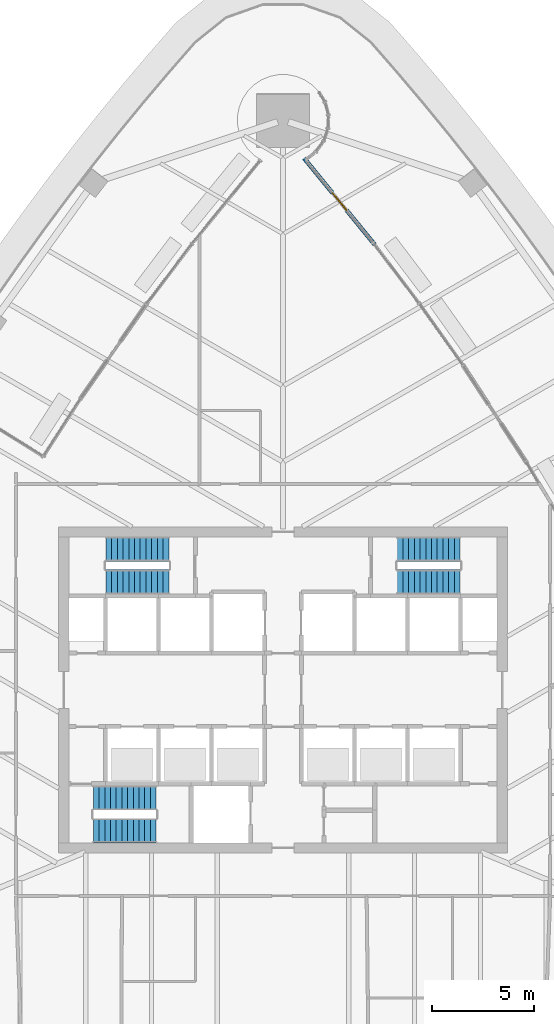
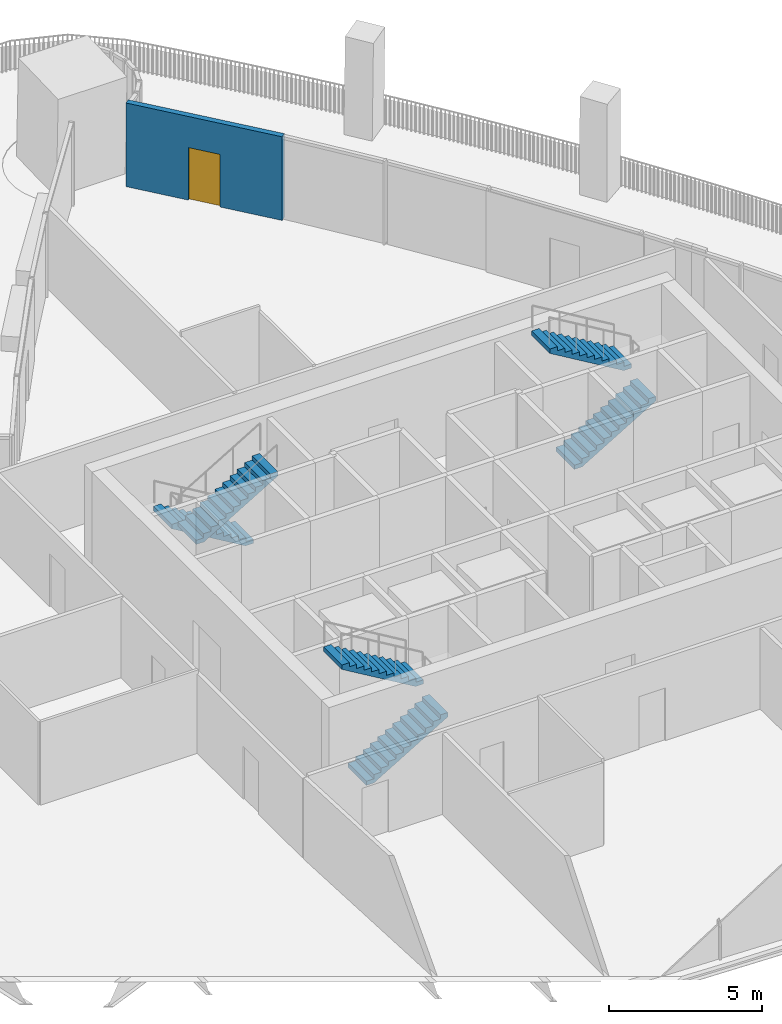
# One storey, part 16 of 21: 6 stair flights, 1 door, 1 wall, 1 opening, 3 elements without a shape of their own.
"""IFC4 building model written with IfcOpenShell, lengths in metres."""

from ifc_helpers import new_model, si_unit, direction, frame, frame_2d, origin, place, context, subcontext, project, spatial, polyline, rectangle, outline, extrude, material, layer, layer_set, type_object, element, fill, aggregate, save


model = new_model("IFC4")

# Units and contexts
model_context = context("Model", 3, precision=1e-05, world=origin(), true_north=direction((0.0, 1.0)))
body_context = subcontext(model_context, "Body", "Model", "MODEL_VIEW")
ifc_project = project(units=[si_unit("LENGTHUNIT", "METRE"), si_unit("AREAUNIT", "SQUARE_METRE"), si_unit("VOLUMEUNIT", "CUBIC_METRE"), si_unit("PLANEANGLEUNIT", "RADIAN"), si_unit("MASSUNIT", "GRAM", prefix="KILO")], contexts=[model_context])

# Site, building, storey
site_placement = place(None, origin())
site = spatial("IfcSite", under=ifc_project, at=site_placement, CompositionType="ELEMENT")
building_placement = place(site_placement, origin())
building = spatial("IfcBuilding", under=site, at=building_placement, Name="Sierra Prisma Convention Tower", CompositionType="ELEMENT")
storey_placement = place(building_placement, frame((0.0, 0.0, 157.800048828125)))
storey = spatial("IfcBuildingStorey", under=building, at=storey_placement, Name="L34", CompositionType="ELEMENT", Elevation=157.800048828125)

# Wall, opening, door
ifc_material_1 = material(Name="Precast concrete C40/50", Category="concrete")
ifc_layer = layer(ifc_material_1, 0.199951171875)
ifc_layer_set = layer_set([ifc_layer], Name="Terrace door pier")
wall_type = type_object("IfcWallType", Name="Terrace door pier", PredefinedType="SOLIDWALL", material=ifc_layer_set)
wall_placement = place(storey_placement, frame((4.498291015625, 21.833251953125, 0.0), z_axis=(0.0, 0.0, 1.0), x_axis=(-0.633206141903, 0.773983192231, 0.0)))
wall = element("IfcWall", 1, at=wall_placement, inside=storey, type_object=wall_type, Name="Terrace door bay L34.6", PredefinedType="SOLIDWALL", context=body_context, shape_type="SweptSolid", body=[
    extrude(rectangle(XDim=5.461181640625, YDim=0.199951171875, at=frame_2d((2.73046875, 0.0))), origin(), (0.0, 0.0, 1.0), 3.33984375),
])
opening_placement = place(wall_placement, frame((2.180419921875, 0.0, 0.0)))
opening = element("IfcOpeningElement", 2, at=opening_placement, cuts=wall, Name="Opening L34-D003", PredefinedType="OPENING", context=body_context, shape_type="SweptSolid", body=[
    extrude(rectangle(XDim=1.10009765625, YDim=2.10009765625, at=frame_2d((0.550048828125, 1.050048828125))), frame((0.0, 0.10009765625, 0.0), z_axis=(0.0, -1.0, 0.0), x_axis=(1.0, 0.0, 0.0)), (0.0, 0.0, 1.0), 0.199951171875),
])
ifc_material_2 = material(Name="Bronze anodised aluminium and glass", Category="aluminium")
door_type = type_object("IfcDoorType", Name="Terrace door 1100 x 2100", OperationType="SINGLE_SWING_LEFT", PredefinedType="DOOR", material=ifc_material_2)
door_placement = place(opening_placement, origin())
door = element("IfcDoor", 3, at=door_placement, inside=storey, type_object=door_type, Name="Terrace door L34.6", OperationType="SINGLE_SWING_LEFT", OverallHeight=2.10009765625, OverallWidth=1.10009765625, PredefinedType="DOOR", context=body_context, shape_type="SweptSolid", body=[
    extrude(rectangle(XDim=1.10009765625, YDim=2.10009765625, at=frame_2d((0.550048828125, 1.050048828125))), frame((0.0, 0.02490234375, 0.0), z_axis=(0.0, -1.0, 0.0), x_axis=(1.0, 0.0, 0.0)), (0.0, 0.0, 1.0), 0.050048828125),
])
fill(opening, door)

# Stair, stair flights
ifc_material_3 = material(Name="Concrete C30/37", Category="concrete")
stair_type = type_object("IfcStairType", Name="Stair dog-leg 1200 RC", PredefinedType="HALF_TURN_STAIR", material=ifc_material_3)
stair_1_placement = place(storey_placement, origin())
stair_1 = element("IfcStair", 4, at=stair_1_placement, inside=storey, type_object=stair_type, Name="L34 S1", PredefinedType="HALF_TURN_STAIR")
ifc_material_4 = material(Name="Concrete C30/37", Category="concrete")
stair_flight_type = type_object("IfcStairFlightType", Name="Stair flight RC 1200", PredefinedType="STRAIGHT", material=ifc_material_4)
stair_flight_1_placement = place(storey_placement, frame((-9.300048828125, -6.89990234375, 0.0), z_axis=(0.0, 0.0, 1.0), x_axis=(1.0, 0.0, 0.0)))
stair_flight_1 = element("IfcStairFlight", 5, at=stair_flight_1_placement, type_object=stair_flight_type, Name="S1 flight 1", NumberOfRisers=12, NumberOfTreads=11, PredefinedType="STRAIGHT", RiserHeight=0.166666667, TreadLength=0.28, context=body_context, shape_type="SweptSolid", body=[
    extrude(outline(polyline([(0.0, 0.0), (0.0, 0.166748046875), (0.280029296875, 0.166748046875), (0.280029296875, 0.333251953125), (0.56005859375, 0.333251953125), (0.56005859375, 0.5), (0.840087890625, 0.5), (0.840087890625, 0.666748046875), (1.1201171875, 0.666748046875), (1.1201171875, 0.833251953125), (1.39990234375, 0.833251953125), (1.39990234375, 1.0), (1.679931640625, 1.0), (1.679931640625, 1.166748046875), (1.9599609375, 1.166748046875), (1.9599609375, 1.333251953125), (2.239990234375, 1.333251953125), (2.239990234375, 1.5), (2.52001953125, 1.5), (2.52001953125, 1.666748046875), (2.800048828125, 1.666748046875), (2.800048828125, 1.833251953125), (3.080078125, 1.833251953125), (3.080078125, 2.0), (3.080078125, 1.658935546875), (0.29296875, 0.0), (0.0, 0.0)])), frame((0.0, 0.60009765625, 0.0), z_axis=(0.0, -1.0, 0.0), x_axis=(1.0, 0.0, 0.0)), (0.0, 0.0, 1.0), 1.199951171875),
])
stair_flight_2_placement = place(storey_placement, frame((-6.219970703125, -5.300048828125, 2.0), z_axis=(0.0, 0.0, 1.0), x_axis=(-1.0, 0.0, 0.0)))
stair_flight_2 = element("IfcStairFlight", 6, at=stair_flight_2_placement, type_object=stair_flight_type, Name="S1 flight 2", NumberOfRisers=12, NumberOfTreads=11, PredefinedType="STRAIGHT", RiserHeight=0.166666667, TreadLength=0.28, context=body_context, shape_type="SweptSolid", body=[
    extrude(outline(polyline([(0.0, 0.0), (0.0, 0.166748046875), (0.280029296875, 0.166748046875), (0.280029296875, 0.333251953125), (0.56005859375, 0.333251953125), (0.56005859375, 0.5), (0.840087890625, 0.5), (0.840087890625, 0.666748046875), (1.1201171875, 0.666748046875), (1.1201171875, 0.833251953125), (1.39990234375, 0.833251953125), (1.39990234375, 1.0), (1.679931640625, 1.0), (1.679931640625, 1.166748046875), (1.9599609375, 1.166748046875), (1.9599609375, 1.333251953125), (2.239990234375, 1.333251953125), (2.239990234375, 1.5), (2.52001953125, 1.5), (2.52001953125, 1.666748046875), (2.800048828125, 1.666748046875), (2.800048828125, 1.833251953125), (3.080078125, 1.833251953125), (3.080078125, 2.0), (3.080078125, 1.658935546875), (0.29296875, 0.0), (0.0, 0.0)])), frame((0.0, 0.60009765625, 0.0), z_axis=(0.0, -1.0, 0.0), x_axis=(1.0, 0.0, 0.0)), (0.0, 0.0, 1.0), 1.199951171875),
])
aggregate(stair_1, [stair_flight_1, stair_flight_2])

stair_2_placement = place(storey_placement, origin())
stair_2 = element("IfcStair", 7, at=stair_2_placement, inside=storey, type_object=stair_type, Name="L34 S3", PredefinedType="HALF_TURN_STAIR")
stair_flight_3_placement = place(storey_placement, frame((-5.60009765625, 6.89990234375, 0.0), z_axis=(0.0, 0.0, 1.0), x_axis=(-1.0, 0.0, 0.0)))
stair_flight_3 = element("IfcStairFlight", 8, at=stair_flight_3_placement, type_object=stair_flight_type, Name="S3 flight 1", NumberOfRisers=12, NumberOfTreads=11, PredefinedType="STRAIGHT", RiserHeight=0.166666667, TreadLength=0.28, context=body_context, shape_type="SweptSolid", body=[
    extrude(outline(polyline([(0.0, 0.0), (0.0, 0.166748046875), (0.280029296875, 0.166748046875), (0.280029296875, 0.333251953125), (0.56005859375, 0.333251953125), (0.56005859375, 0.5), (0.840087890625, 0.5), (0.840087890625, 0.666748046875), (1.1201171875, 0.666748046875), (1.1201171875, 0.833251953125), (1.39990234375, 0.833251953125), (1.39990234375, 1.0), (1.679931640625, 1.0), (1.679931640625, 1.166748046875), (1.9599609375, 1.166748046875), (1.9599609375, 1.333251953125), (2.239990234375, 1.333251953125), (2.239990234375, 1.5), (2.52001953125, 1.5), (2.52001953125, 1.666748046875), (2.800048828125, 1.666748046875), (2.800048828125, 1.833251953125), (3.080078125, 1.833251953125), (3.080078125, 2.0), (3.080078125, 1.658935546875), (0.29296875, 0.0), (0.0, 0.0)])), frame((0.0, 0.60009765625, 0.0), z_axis=(0.0, -1.0, 0.0), x_axis=(1.0, 0.0, 0.0)), (0.0, 0.0, 1.0), 1.199951171875),
])
stair_flight_4_placement = place(storey_placement, frame((-8.679931640625, 5.300048828125, 2.0), z_axis=(0.0, 0.0, 1.0), x_axis=(1.0, 0.0, 0.0)))
stair_flight_4 = element("IfcStairFlight", 9, at=stair_flight_4_placement, type_object=stair_flight_type, Name="S3 flight 2", NumberOfRisers=12, NumberOfTreads=11, PredefinedType="STRAIGHT", RiserHeight=0.166666667, TreadLength=0.28, context=body_context, shape_type="SweptSolid", body=[
    extrude(outline(polyline([(0.0, 0.0), (0.0, 0.166748046875), (0.280029296875, 0.166748046875), (0.280029296875, 0.333251953125), (0.56005859375, 0.333251953125), (0.56005859375, 0.5), (0.840087890625, 0.5), (0.840087890625, 0.666748046875), (1.1201171875, 0.666748046875), (1.1201171875, 0.833251953125), (1.39990234375, 0.833251953125), (1.39990234375, 1.0), (1.679931640625, 1.0), (1.679931640625, 1.166748046875), (1.9599609375, 1.166748046875), (1.9599609375, 1.333251953125), (2.239990234375, 1.333251953125), (2.239990234375, 1.5), (2.52001953125, 1.5), (2.52001953125, 1.666748046875), (2.800048828125, 1.666748046875), (2.800048828125, 1.833251953125), (3.080078125, 1.833251953125), (3.080078125, 2.0), (3.080078125, 1.658935546875), (0.29296875, 0.0), (0.0, 0.0)])), frame((0.0, 0.60009765625, 0.0), z_axis=(0.0, -1.0, 0.0), x_axis=(1.0, 0.0, 0.0)), (0.0, 0.0, 1.0), 1.199951171875),
])
aggregate(stair_2, [stair_flight_3, stair_flight_4])

stair_3_placement = place(storey_placement, origin())
stair_3 = element("IfcStair", 10, at=stair_3_placement, inside=storey, type_object=stair_type, Name="L34 S4", PredefinedType="HALF_TURN_STAIR")
stair_flight_5_placement = place(storey_placement, frame((5.60009765625, 5.300048828125, 0.0), z_axis=(0.0, 0.0, 1.0), x_axis=(1.0, 0.0, 0.0)))
stair_flight_5 = element("IfcStairFlight", 11, at=stair_flight_5_placement, type_object=stair_flight_type, Name="S4 flight 1", NumberOfRisers=12, NumberOfTreads=11, PredefinedType="STRAIGHT", RiserHeight=0.166666667, TreadLength=0.28, context=body_context, shape_type="SweptSolid", body=[
    extrude(outline(polyline([(0.0, 0.0), (0.0, 0.166748046875), (0.280029296875, 0.166748046875), (0.280029296875, 0.333251953125), (0.56005859375, 0.333251953125), (0.56005859375, 0.5), (0.840087890625, 0.5), (0.840087890625, 0.666748046875), (1.1201171875, 0.666748046875), (1.1201171875, 0.833251953125), (1.39990234375, 0.833251953125), (1.39990234375, 1.0), (1.679931640625, 1.0), (1.679931640625, 1.166748046875), (1.9599609375, 1.166748046875), (1.9599609375, 1.333251953125), (2.239990234375, 1.333251953125), (2.239990234375, 1.5), (2.52001953125, 1.5), (2.52001953125, 1.666748046875), (2.800048828125, 1.666748046875), (2.800048828125, 1.833251953125), (3.080078125, 1.833251953125), (3.080078125, 2.0), (3.080078125, 1.658935546875), (0.29296875, 0.0), (0.0, 0.0)])), frame((0.0, 0.60009765625, 0.0), z_axis=(0.0, -1.0, 0.0), x_axis=(1.0, 0.0, 0.0)), (0.0, 0.0, 1.0), 1.199951171875),
])
stair_flight_6_placement = place(storey_placement, frame((8.679931640625, 6.89990234375, 2.0), z_axis=(0.0, 0.0, 1.0), x_axis=(-1.0, 0.0, 0.0)))
stair_flight_6 = element("IfcStairFlight", 12, at=stair_flight_6_placement, type_object=stair_flight_type, Name="S4 flight 2", NumberOfRisers=12, NumberOfTreads=11, PredefinedType="STRAIGHT", RiserHeight=0.166666667, TreadLength=0.28, context=body_context, shape_type="SweptSolid", body=[
    extrude(outline(polyline([(0.0, 0.0), (0.0, 0.166748046875), (0.280029296875, 0.166748046875), (0.280029296875, 0.333251953125), (0.56005859375, 0.333251953125), (0.56005859375, 0.5), (0.840087890625, 0.5), (0.840087890625, 0.666748046875), (1.1201171875, 0.666748046875), (1.1201171875, 0.833251953125), (1.39990234375, 0.833251953125), (1.39990234375, 1.0), (1.679931640625, 1.0), (1.679931640625, 1.166748046875), (1.9599609375, 1.166748046875), (1.9599609375, 1.333251953125), (2.239990234375, 1.333251953125), (2.239990234375, 1.5), (2.52001953125, 1.5), (2.52001953125, 1.666748046875), (2.800048828125, 1.666748046875), (2.800048828125, 1.833251953125), (3.080078125, 1.833251953125), (3.080078125, 2.0), (3.080078125, 1.658935546875), (0.29296875, 0.0), (0.0, 0.0)])), frame((0.0, 0.60009765625, 0.0), z_axis=(0.0, -1.0, 0.0), x_axis=(1.0, 0.0, 0.0)), (0.0, 0.0, 1.0), 1.199951171875),
])
aggregate(stair_3, [stair_flight_5, stair_flight_6])

save(model, "model.ifc")
